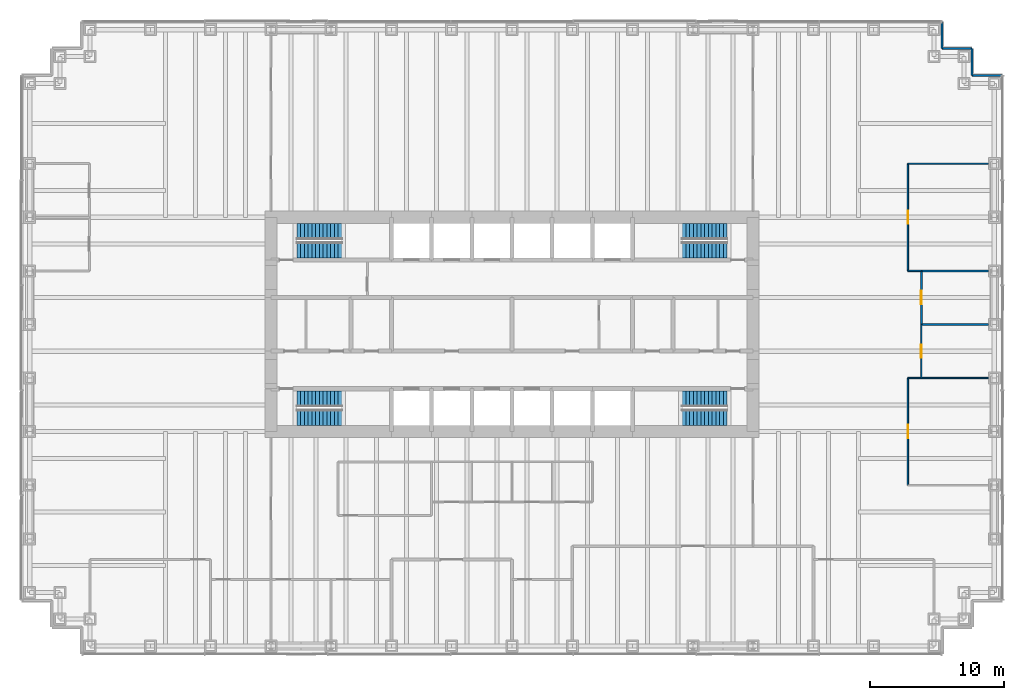
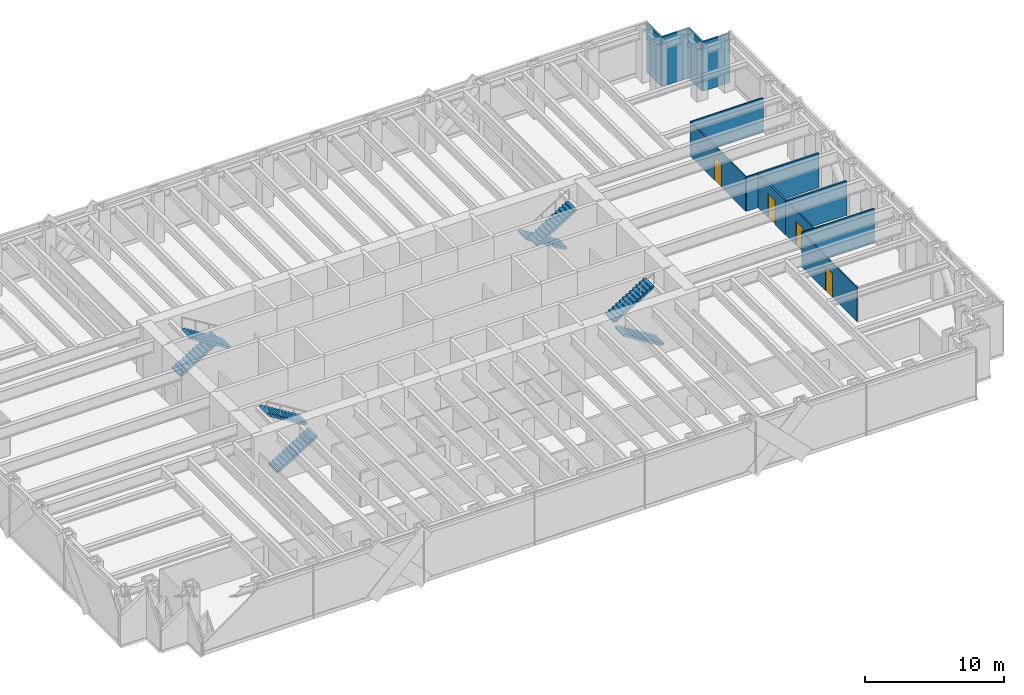
# One storey, part 12 of 13: 13 walls, 8 stair flights, 4 doors, 4 openings, 4 elements without a shape of their own.
"""IFC4 building model written with IfcOpenShell, lengths in metres."""

from ifc_helpers import new_model, si_unit, direction, frame, frame_2d, origin, place, context, subcontext, project, spatial, polyline, rectangle, outline, extrude, material, layer, layer_set, type_object, element, fill, aggregate, save


model = new_model("IFC4")

# Units and contexts
model_context = context("Model", 3, precision=1e-05, world=origin(), true_north=direction((0.0, 1.0)))
body_context = subcontext(model_context, "Body", "Model", "MODEL_VIEW")
ifc_project = project(units=[si_unit("LENGTHUNIT", "METRE"), si_unit("AREAUNIT", "SQUARE_METRE"), si_unit("VOLUMEUNIT", "CUBIC_METRE"), si_unit("PLANEANGLEUNIT", "RADIAN"), si_unit("MASSUNIT", "GRAM", prefix="KILO")], contexts=[model_context])

# Site, building, storey
site_placement = place(None, origin())
site = spatial("IfcSite", under=ifc_project, at=site_placement, CompositionType="ELEMENT")
building_placement = place(site_placement, origin())
building = spatial("IfcBuilding", under=site, at=building_placement, Name="Rheinbord Bourse Tower", CompositionType="ELEMENT")
storey_placement = place(building_placement, frame((0.0, 0.0, 45.5)))
storey = spatial("IfcBuildingStorey", under=building, at=storey_placement, Name="L09", CompositionType="ELEMENT", Elevation=45.5)

# Walls
ifc_material_1 = material(Name="Black metal rainscreen panel", Category="aluminium")
ifc_layer_1 = layer(ifc_material_1, 0.14990234375)
ifc_layer_set_1 = layer_set([ifc_layer_1], Name="CORNER PIER CLADDING 150")
wall_type_1 = type_object("IfcWallType", Name="CORNER PIER CLADDING 150", PredefinedType="ELEMENTEDWALL", material=ifc_layer_set_1)
wall_1_placement = place(storey_placement, frame((72.60009765625, 42.60009765625, 0.0), z_axis=(0.0, 0.0, 1.0), x_axis=(-1.0, 0.0, 0.0)))
element("IfcWall", 1, at=wall_1_placement, inside=storey, type_object=wall_type_1, Name="Corner pier cladding L09 7", PredefinedType="ELEMENTEDWALL", context=body_context, shape_type="SweptSolid", body=[
    extrude(rectangle(XDim=2.25, YDim=0.14990234375, at=frame_2d((1.125, 0.0))), origin(), (0.0, 0.0, 1.0), 4.320068359375),
])
wall_2_placement = place(storey_placement, frame((70.35009765625, 42.60009765625, 0.0), z_axis=(0.0, 0.0, 1.0), x_axis=(0.0, 1.0, 0.0)))
element("IfcWall", 2, at=wall_2_placement, inside=storey, type_object=wall_type_1, Name="Corner pier cladding L09 8", PredefinedType="ELEMENTEDWALL", context=body_context, shape_type="SweptSolid", body=[
    extrude(rectangle(XDim=2.0, YDim=0.14990234375, at=frame_2d((1.0, 0.0))), origin(), (0.0, 0.0, 1.0), 4.320068359375),
])
wall_3_placement = place(storey_placement, frame((70.35009765625, 44.60009765625, 0.0), z_axis=(0.0, 0.0, 1.0), x_axis=(-1.0, 0.0, 0.0)))
element("IfcWall", 3, at=wall_3_placement, inside=storey, type_object=wall_type_1, Name="Corner pier cladding L09 9", PredefinedType="ELEMENTEDWALL", context=body_context, shape_type="SweptSolid", body=[
    extrude(rectangle(XDim=2.25, YDim=0.14990234375, at=frame_2d((1.125, 0.0))), origin(), (0.0, 0.0, 1.0), 4.320068359375),
])
wall_4_placement = place(storey_placement, frame((68.10009765625, 44.60009765625, 0.0), z_axis=(0.0, 0.0, 1.0), x_axis=(0.0, 1.0, 0.0)))
element("IfcWall", 4, at=wall_4_placement, inside=storey, type_object=wall_type_1, Name="Corner pier cladding L09 10", PredefinedType="ELEMENTEDWALL", context=body_context, shape_type="SweptSolid", body=[
    extrude(rectangle(XDim=2.0, YDim=0.14990234375, at=frame_2d((1.0, 0.0))), origin(), (0.0, 0.0, 1.0), 4.320068359375),
])
ifc_material_2 = material(Name="Toughened laminated glass partition", Category="glass")
ifc_layer_2 = layer(ifc_material_2, 0.10009765625)
ifc_layer_set_2 = layer_set([ifc_layer_2], Name="GLAZED PARTITION 100")
wall_type_2 = type_object("IfcWallType", Name="GLAZED PARTITION 100", PredefinedType="PARTITIONING", material=ifc_layer_set_2)
wall_5_placement = place(storey_placement, frame((65.550048828125, 20.0, 0.0), z_axis=(0.0, 0.0, 1.0), x_axis=(1.0, 0.0, 0.0)))
element("IfcWall", 5, at=wall_5_placement, inside=storey, type_object=wall_type_2, Name="Partition L09-12", PredefinedType="PARTITIONING", context=body_context, shape_type="SweptSolid", body=[
    extrude(rectangle(XDim=6.0, YDim=0.10009765625, at=frame_2d((3.0, 0.0))), origin(), (0.0, 0.0, 1.0), 3.0),
])
wall_6_placement = place(storey_placement, frame((65.550048828125, 28.0, 0.0), z_axis=(0.0, 0.0, 1.0), x_axis=(1.0, 0.0, 0.0)))
element("IfcWall", 6, at=wall_6_placement, inside=storey, type_object=wall_type_2, Name="Partition L09-15", PredefinedType="PARTITIONING", context=body_context, shape_type="SweptSolid", body=[
    extrude(rectangle(XDim=1.0, YDim=0.10009765625, at=frame_2d((0.5, 0.0))), origin(), (0.0, 0.0, 1.0), 3.0),
])
wall_7_placement = place(storey_placement, frame((65.550048828125, 36.0, 0.0), z_axis=(0.0, 0.0, 1.0), x_axis=(1.0, 0.0, 0.0)))
element("IfcWall", 7, at=wall_7_placement, inside=storey, type_object=wall_type_2, Name="Partition L09-19", PredefinedType="PARTITIONING", context=body_context, shape_type="SweptSolid", body=[
    extrude(rectangle(XDim=6.0, YDim=0.10009765625, at=frame_2d((3.0, 0.0))), origin(), (0.0, 0.0, 1.0), 3.0),
])

# Wall, opening, door
wall_8_placement = place(storey_placement, frame((65.550048828125, 12.0, 0.0), z_axis=(0.0, 0.0, 1.0), x_axis=(0.0, 1.0, 0.0)))
wall_8 = element("IfcWall", 8, at=wall_8_placement, inside=storey, type_object=wall_type_2, Name="Partition L09-39", PredefinedType="PARTITIONING", context=body_context, shape_type="SweptSolid", body=[
    extrude(rectangle(XDim=8.0, YDim=0.10009765625, at=frame_2d((4.0, 0.0))), origin(), (0.0, 0.0, 1.0), 3.0),
])
opening_1_placement = place(wall_8_placement, frame((3.5, 0.0, 0.0)))
opening_1 = element("IfcOpeningElement", 9, at=opening_1_placement, cuts=wall_8, Name="Opening 09D14", PredefinedType="OPENING", context=body_context, shape_type="SweptSolid", body=[
    extrude(rectangle(XDim=1.0, YDim=2.10009765625, at=frame_2d((0.5, 1.050048828125))), frame((0.0, 0.06005859375, 0.0), z_axis=(0.0, -1.0, 0.0), x_axis=(1.0, 0.0, 0.0)), (0.0, 0.0, 1.0), 0.1201171875),
])
ifc_material_3 = material(Name="Timber door", Category="wood")
door_type = type_object("IfcDoorType", Name="ROOM DOOR 1000", OperationType="SINGLE_SWING_LEFT", PredefinedType="DOOR", material=ifc_material_3)
door_1_placement = place(opening_1_placement, origin())
door_1 = element("IfcDoor", 10, at=door_1_placement, inside=storey, type_object=door_type, Name="Meeting room door L09", OperationType="SINGLE_SWING_LEFT", OverallHeight=2.10009765625, OverallWidth=1.0, PredefinedType="DOOR", context=body_context, shape_type="SweptSolid", body=[
    extrude(rectangle(XDim=1.0, YDim=2.10009765625, at=frame_2d((0.5, 1.050048828125))), frame((0.0, 0.02490234375, 0.0), z_axis=(0.0, -1.0, 0.0), x_axis=(1.0, 0.0, 0.0)), (0.0, 0.0, 1.0), 0.050048828125),
])
fill(opening_1, door_1)

wall_9_placement = place(storey_placement, frame((65.550048828125, 28.0, 0.0), z_axis=(0.0, 0.0, 1.0), x_axis=(0.0, 1.0, 0.0)))
wall_9 = element("IfcWall", 11, at=wall_9_placement, inside=storey, type_object=wall_type_2, Name="Partition L09-40", PredefinedType="PARTITIONING", context=body_context, shape_type="SweptSolid", body=[
    extrude(rectangle(XDim=8.0, YDim=0.10009765625, at=frame_2d((4.0, 0.0))), origin(), (0.0, 0.0, 1.0), 3.0),
])
opening_2_placement = place(wall_9_placement, frame((3.5, 0.0, 0.0)))
opening_2 = element("IfcOpeningElement", 12, at=opening_2_placement, cuts=wall_9, Name="Opening 09D18", PredefinedType="OPENING", context=body_context, shape_type="SweptSolid", body=[
    extrude(rectangle(XDim=1.0, YDim=2.10009765625, at=frame_2d((0.5, 1.050048828125))), frame((0.0, 0.06005859375, 0.0), z_axis=(0.0, -1.0, 0.0), x_axis=(1.0, 0.0, 0.0)), (0.0, 0.0, 1.0), 0.1201171875),
])
door_2_placement = place(opening_2_placement, origin())
door_2 = element("IfcDoor", 13, at=door_2_placement, inside=storey, type_object=door_type, Name="Meeting room door L09", OperationType="SINGLE_SWING_LEFT", OverallHeight=2.10009765625, OverallWidth=1.0, PredefinedType="DOOR", context=body_context, shape_type="SweptSolid", body=[
    extrude(rectangle(XDim=1.0, YDim=2.10009765625, at=frame_2d((0.5, 1.050048828125))), frame((0.0, 0.02490234375, 0.0), z_axis=(0.0, -1.0, 0.0), x_axis=(1.0, 0.0, 0.0)), (0.0, 0.0, 1.0), 0.050048828125),
])
fill(opening_2, door_2)

wall_10_placement = place(storey_placement, frame((66.550048828125, 20.0, 0.0), z_axis=(0.0, 0.0, 1.0), x_axis=(0.0, 1.0, 0.0)))
wall_10 = element("IfcWall", 14, at=wall_10_placement, inside=storey, type_object=wall_type_2, Name="Partition L09-41", PredefinedType="PARTITIONING", context=body_context, shape_type="SweptSolid", body=[
    extrude(rectangle(XDim=4.0, YDim=0.10009765625, at=frame_2d((2.0, 0.0))), origin(), (0.0, 0.0, 1.0), 3.0),
])
opening_3_placement = place(wall_10_placement, frame((1.5, 0.0, 0.0)))
opening_3 = element("IfcOpeningElement", 15, at=opening_3_placement, cuts=wall_10, Name="Opening 09D15", PredefinedType="OPENING", context=body_context, shape_type="SweptSolid", body=[
    extrude(rectangle(XDim=1.0, YDim=2.10009765625, at=frame_2d((0.5, 1.050048828125))), frame((0.0, 0.06005859375, 0.0), z_axis=(0.0, -1.0, 0.0), x_axis=(1.0, 0.0, 0.0)), (0.0, 0.0, 1.0), 0.1201171875),
])
door_3_placement = place(opening_3_placement, origin())
door_3 = element("IfcDoor", 16, at=door_3_placement, inside=storey, type_object=door_type, Name="Meeting room door L09", OperationType="SINGLE_SWING_LEFT", OverallHeight=2.10009765625, OverallWidth=1.0, PredefinedType="DOOR", context=body_context, shape_type="SweptSolid", body=[
    extrude(rectangle(XDim=1.0, YDim=2.10009765625, at=frame_2d((0.5, 1.050048828125))), frame((0.0, 0.02490234375, 0.0), z_axis=(0.0, -1.0, 0.0), x_axis=(1.0, 0.0, 0.0)), (0.0, 0.0, 1.0), 0.050048828125),
])
fill(opening_3, door_3)

# Walls
ifc_material_4 = material(Name="Gypsum board partition", Category="gypsum board")
ifc_layer_3 = layer(ifc_material_4, 0.14990234375)
ifc_layer_set_3 = layer_set([ifc_layer_3], Name="PARTITION 150")
wall_type_3 = type_object("IfcWallType", Name="PARTITION 150", PredefinedType="PARTITIONING", material=ifc_layer_set_3)
for number, where, z_axis, x_axis, name in (
    (17, (66.550048828125, 24.0, 0.0), (0.0, 0.0, 1.0), (1.0, 0.0, 0.0), "Partition L09-13"),
    (18, (66.550048828125, 28.0, 0.0), (0.0, 0.0, 1.0), (1.0, 0.0, 0.0), "Partition L09-16"),
):
    element("IfcWall", number, at=place(storey_placement, frame(where, z_axis=z_axis, x_axis=x_axis)), inside=storey, type_object=wall_type_3, Name=name, PredefinedType="PARTITIONING", context=body_context, shape_type="SweptSolid", body=[
        extrude(rectangle(XDim=5.0, YDim=0.14990234375, at=frame_2d((2.5, 0.0))), origin(), (0.0, 0.0, 1.0), 3.0),
    ])

# Wall, opening, door
wall_11_placement = place(storey_placement, frame((66.550048828125, 24.0, 0.0), z_axis=(0.0, 0.0, 1.0), x_axis=(0.0, 1.0, 0.0)))
wall_11 = element("IfcWall", 19, at=wall_11_placement, inside=storey, type_object=wall_type_3, Name="Partition L09-42", PredefinedType="PARTITIONING", context=body_context, shape_type="SweptSolid", body=[
    extrude(rectangle(XDim=4.0, YDim=0.14990234375, at=frame_2d((2.0, 0.0))), origin(), (0.0, 0.0, 1.0), 3.0),
])
opening_4_placement = place(wall_11_placement, frame((1.5, 0.0, 0.0)))
opening_4 = element("IfcOpeningElement", 20, at=opening_4_placement, cuts=wall_11, Name="Opening 09D16", PredefinedType="OPENING", context=body_context, shape_type="SweptSolid", body=[
    extrude(rectangle(XDim=1.0, YDim=2.10009765625, at=frame_2d((0.5, 1.050048828125))), frame((0.0, 0.0849609375, 0.0), z_axis=(0.0, -1.0, 0.0), x_axis=(1.0, 0.0, 0.0)), (0.0, 0.0, 1.0), 0.169921875),
])
door_4_placement = place(opening_4_placement, origin())
door_4 = element("IfcDoor", 21, at=door_4_placement, inside=storey, type_object=door_type, Name="Pantry door L09", OperationType="SINGLE_SWING_LEFT", OverallHeight=2.10009765625, OverallWidth=1.0, PredefinedType="DOOR", context=body_context, shape_type="SweptSolid", body=[
    extrude(rectangle(XDim=1.0, YDim=2.10009765625, at=frame_2d((0.5, 1.050048828125))), frame((0.0, 0.02490234375, 0.0), z_axis=(0.0, -1.0, 0.0), x_axis=(1.0, 0.0, 0.0)), (0.0, 0.0, 1.0), 0.050048828125),
])
fill(opening_4, door_4)

# Stair, stair flights
ifc_material_5 = material(Name="Concrete C30/37", Category="concrete")
stair_type = type_object("IfcStairType", Name="CORE STAIR HALF TURN 4500", PredefinedType="HALF_TURN_STAIR", material=ifc_material_5)
stair_1_placement = place(storey_placement, origin())
stair_1 = element("IfcStair", 22, at=stair_1_placement, inside=storey, type_object=stair_type, Name="Stair ST1 L09, type CS4", PredefinedType="HALF_TURN_STAIR")
ifc_material_6 = material(Name="Concrete C30/37", Category="concrete")
stair_flight_type = type_object("IfcStairFlightType", Name="CORE STAIR FLIGHT 1200, 13 RISERS", PredefinedType="STRAIGHT", material=ifc_material_6)
stair_flight_1_placement = place(storey_placement, frame((19.949951171875, 17.050048828125, 0.0), z_axis=(0.0, 0.0, 1.0), x_axis=(1.0, 0.0, 0.0)))
stair_flight_1 = element("IfcStairFlight", 23, at=stair_flight_1_placement, type_object=stair_flight_type, Name="STAIR L09 ST1 F1", NumberOfRisers=13, NumberOfTreads=12, PredefinedType="STRAIGHT", RiserHeight=0.173076923, TreadLength=0.28, context=body_context, shape_type="SweptSolid", body=[
    extrude(outline(polyline([(0.0, 0.0), (0.0, 0.173095703125), (0.280029296875, 0.173095703125), (0.280029296875, 0.34619140625), (0.56005859375, 0.34619140625), (0.56005859375, 0.519287109375), (0.840087890625, 0.519287109375), (0.840087890625, 0.6923828125), (1.1201171875, 0.6923828125), (1.1201171875, 0.865478515625), (1.39990234375, 0.865478515625), (1.39990234375, 1.03857421875), (1.679931640625, 1.03857421875), (1.679931640625, 1.21142578125), (1.9599609375, 1.21142578125), (1.9599609375, 1.384521484375), (2.239990234375, 1.384521484375), (2.239990234375, 1.5576171875), (2.52001953125, 1.5576171875), (2.52001953125, 1.730712890625), (2.800048828125, 1.730712890625), (2.800048828125, 1.90380859375), (3.080078125, 1.90380859375), (3.080078125, 2.076904296875), (3.360107421875, 2.076904296875), (3.360107421875, 2.25), (3.360107421875, 1.900634765625), (0.28515625, 0.0), (0.0, 0.0)])), frame((0.0, 0.60009765625, 0.0), z_axis=(0.0, -1.0, 0.0), x_axis=(1.0, 0.0, 0.0)), (0.0, 0.0, 1.0), 1.199951171875),
])
stair_flight_2_placement = place(storey_placement, frame((23.31005859375, 18.449951171875, 2.25), z_axis=(0.0, 0.0, 1.0), x_axis=(-1.0, 0.0, 0.0)))
stair_flight_2 = element("IfcStairFlight", 24, at=stair_flight_2_placement, type_object=stair_flight_type, Name="STAIR L09 ST1 F2", NumberOfRisers=13, NumberOfTreads=12, PredefinedType="STRAIGHT", RiserHeight=0.173076923, TreadLength=0.28, context=body_context, shape_type="SweptSolid", body=[
    extrude(outline(polyline([(0.0, 0.0), (0.0, 0.173095703125), (0.280029296875, 0.173095703125), (0.280029296875, 0.34619140625), (0.56005859375, 0.34619140625), (0.56005859375, 0.519287109375), (0.840087890625, 0.519287109375), (0.840087890625, 0.6923828125), (1.1201171875, 0.6923828125), (1.1201171875, 0.865478515625), (1.39990234375, 0.865478515625), (1.39990234375, 1.03857421875), (1.679931640625, 1.03857421875), (1.679931640625, 1.21142578125), (1.9599609375, 1.21142578125), (1.9599609375, 1.384521484375), (2.239990234375, 1.384521484375), (2.239990234375, 1.5576171875), (2.52001953125, 1.5576171875), (2.52001953125, 1.730712890625), (2.800048828125, 1.730712890625), (2.800048828125, 1.90380859375), (3.080078125, 1.90380859375), (3.080078125, 2.076904296875), (3.360107421875, 2.076904296875), (3.360107421875, 2.25), (3.360107421875, 1.900634765625), (0.28515625, 0.0), (0.0, 0.0)])), frame((0.0, 0.60009765625, 0.0), z_axis=(0.0, -1.0, 0.0), x_axis=(1.0, 0.0, 0.0)), (0.0, 0.0, 1.0), 1.199951171875),
])
aggregate(stair_1, [stair_flight_1, stair_flight_2])

stair_2_placement = place(storey_placement, origin())
stair_2 = element("IfcStair", 25, at=stair_2_placement, inside=storey, type_object=stair_type, Name="Stair ST2 L09, type CS4", PredefinedType="HALF_TURN_STAIR")
stair_flight_3_placement = place(storey_placement, frame((19.949951171875, 30.949951171875, 0.0), z_axis=(0.0, 0.0, 1.0), x_axis=(1.0, 0.0, 0.0)))
stair_flight_3 = element("IfcStairFlight", 26, at=stair_flight_3_placement, type_object=stair_flight_type, Name="STAIR L09 ST2 F1", NumberOfRisers=13, NumberOfTreads=12, PredefinedType="STRAIGHT", RiserHeight=0.173076923, TreadLength=0.28, context=body_context, shape_type="SweptSolid", body=[
    extrude(outline(polyline([(0.0, 0.0), (0.0, 0.173095703125), (0.280029296875, 0.173095703125), (0.280029296875, 0.34619140625), (0.56005859375, 0.34619140625), (0.56005859375, 0.519287109375), (0.840087890625, 0.519287109375), (0.840087890625, 0.6923828125), (1.1201171875, 0.6923828125), (1.1201171875, 0.865478515625), (1.39990234375, 0.865478515625), (1.39990234375, 1.03857421875), (1.679931640625, 1.03857421875), (1.679931640625, 1.21142578125), (1.9599609375, 1.21142578125), (1.9599609375, 1.384521484375), (2.239990234375, 1.384521484375), (2.239990234375, 1.5576171875), (2.52001953125, 1.5576171875), (2.52001953125, 1.730712890625), (2.800048828125, 1.730712890625), (2.800048828125, 1.90380859375), (3.080078125, 1.90380859375), (3.080078125, 2.076904296875), (3.360107421875, 2.076904296875), (3.360107421875, 2.25), (3.360107421875, 1.900634765625), (0.28515625, 0.0), (0.0, 0.0)])), frame((0.0, 0.60009765625, 0.0), z_axis=(0.0, -1.0, 0.0), x_axis=(1.0, 0.0, 0.0)), (0.0, 0.0, 1.0), 1.199951171875),
])
stair_flight_4_placement = place(storey_placement, frame((23.31005859375, 29.550048828125, 2.25), z_axis=(0.0, 0.0, 1.0), x_axis=(-1.0, 0.0, 0.0)))
stair_flight_4 = element("IfcStairFlight", 27, at=stair_flight_4_placement, type_object=stair_flight_type, Name="STAIR L09 ST2 F2", NumberOfRisers=13, NumberOfTreads=12, PredefinedType="STRAIGHT", RiserHeight=0.173076923, TreadLength=0.28, context=body_context, shape_type="SweptSolid", body=[
    extrude(outline(polyline([(0.0, 0.0), (0.0, 0.173095703125), (0.280029296875, 0.173095703125), (0.280029296875, 0.34619140625), (0.56005859375, 0.34619140625), (0.56005859375, 0.519287109375), (0.840087890625, 0.519287109375), (0.840087890625, 0.6923828125), (1.1201171875, 0.6923828125), (1.1201171875, 0.865478515625), (1.39990234375, 0.865478515625), (1.39990234375, 1.03857421875), (1.679931640625, 1.03857421875), (1.679931640625, 1.21142578125), (1.9599609375, 1.21142578125), (1.9599609375, 1.384521484375), (2.239990234375, 1.384521484375), (2.239990234375, 1.5576171875), (2.52001953125, 1.5576171875), (2.52001953125, 1.730712890625), (2.800048828125, 1.730712890625), (2.800048828125, 1.90380859375), (3.080078125, 1.90380859375), (3.080078125, 2.076904296875), (3.360107421875, 2.076904296875), (3.360107421875, 2.25), (3.360107421875, 1.900634765625), (0.28515625, 0.0), (0.0, 0.0)])), frame((0.0, 0.60009765625, 0.0), z_axis=(0.0, -1.0, 0.0), x_axis=(1.0, 0.0, 0.0)), (0.0, 0.0, 1.0), 1.199951171875),
])
aggregate(stair_2, [stair_flight_3, stair_flight_4])

stair_3_placement = place(storey_placement, origin())
stair_3 = element("IfcStair", 28, at=stair_3_placement, inside=storey, type_object=stair_type, Name="Stair ST3 L09, type CS4", PredefinedType="HALF_TURN_STAIR")
stair_flight_5_placement = place(storey_placement, frame((52.050048828125, 17.050048828125, 0.0), z_axis=(0.0, 0.0, 1.0), x_axis=(-1.0, 0.0, 0.0)))
stair_flight_5 = element("IfcStairFlight", 29, at=stair_flight_5_placement, type_object=stair_flight_type, Name="STAIR L09 ST3 F1", NumberOfRisers=13, NumberOfTreads=12, PredefinedType="STRAIGHT", RiserHeight=0.173076923, TreadLength=0.28, context=body_context, shape_type="SweptSolid", body=[
    extrude(outline(polyline([(0.0, 0.0), (0.0, 0.173095703125), (0.280029296875, 0.173095703125), (0.280029296875, 0.34619140625), (0.56005859375, 0.34619140625), (0.56005859375, 0.519287109375), (0.840087890625, 0.519287109375), (0.840087890625, 0.6923828125), (1.1201171875, 0.6923828125), (1.1201171875, 0.865478515625), (1.39990234375, 0.865478515625), (1.39990234375, 1.03857421875), (1.679931640625, 1.03857421875), (1.679931640625, 1.21142578125), (1.9599609375, 1.21142578125), (1.9599609375, 1.384521484375), (2.239990234375, 1.384521484375), (2.239990234375, 1.5576171875), (2.52001953125, 1.5576171875), (2.52001953125, 1.730712890625), (2.800048828125, 1.730712890625), (2.800048828125, 1.90380859375), (3.080078125, 1.90380859375), (3.080078125, 2.076904296875), (3.360107421875, 2.076904296875), (3.360107421875, 2.25), (3.360107421875, 1.900634765625), (0.28515625, 0.0), (0.0, 0.0)])), frame((0.0, 0.60009765625, 0.0), z_axis=(0.0, -1.0, 0.0), x_axis=(1.0, 0.0, 0.0)), (0.0, 0.0, 1.0), 1.199951171875),
])
stair_flight_6_placement = place(storey_placement, frame((48.68994140625, 18.449951171875, 2.25), z_axis=(0.0, 0.0, 1.0), x_axis=(1.0, 0.0, 0.0)))
stair_flight_6 = element("IfcStairFlight", 30, at=stair_flight_6_placement, type_object=stair_flight_type, Name="STAIR L09 ST3 F2", NumberOfRisers=13, NumberOfTreads=12, PredefinedType="STRAIGHT", RiserHeight=0.173076923, TreadLength=0.28, context=body_context, shape_type="SweptSolid", body=[
    extrude(outline(polyline([(0.0, 0.0), (0.0, 0.173095703125), (0.280029296875, 0.173095703125), (0.280029296875, 0.34619140625), (0.56005859375, 0.34619140625), (0.56005859375, 0.519287109375), (0.840087890625, 0.519287109375), (0.840087890625, 0.6923828125), (1.1201171875, 0.6923828125), (1.1201171875, 0.865478515625), (1.39990234375, 0.865478515625), (1.39990234375, 1.03857421875), (1.679931640625, 1.03857421875), (1.679931640625, 1.21142578125), (1.9599609375, 1.21142578125), (1.9599609375, 1.384521484375), (2.239990234375, 1.384521484375), (2.239990234375, 1.5576171875), (2.52001953125, 1.5576171875), (2.52001953125, 1.730712890625), (2.800048828125, 1.730712890625), (2.800048828125, 1.90380859375), (3.080078125, 1.90380859375), (3.080078125, 2.076904296875), (3.360107421875, 2.076904296875), (3.360107421875, 2.25), (3.360107421875, 1.900634765625), (0.28515625, 0.0), (0.0, 0.0)])), frame((0.0, 0.60009765625, 0.0), z_axis=(0.0, -1.0, 0.0), x_axis=(1.0, 0.0, 0.0)), (0.0, 0.0, 1.0), 1.199951171875),
])
aggregate(stair_3, [stair_flight_5, stair_flight_6])

stair_4_placement = place(storey_placement, origin())
stair_4 = element("IfcStair", 31, at=stair_4_placement, inside=storey, type_object=stair_type, Name="Stair ST4 L09, type CS4", PredefinedType="HALF_TURN_STAIR")
stair_flight_7_placement = place(storey_placement, frame((52.050048828125, 30.949951171875, 0.0), z_axis=(0.0, 0.0, 1.0), x_axis=(-1.0, 0.0, 0.0)))
stair_flight_7 = element("IfcStairFlight", 32, at=stair_flight_7_placement, type_object=stair_flight_type, Name="STAIR L09 ST4 F1", NumberOfRisers=13, NumberOfTreads=12, PredefinedType="STRAIGHT", RiserHeight=0.173076923, TreadLength=0.28, context=body_context, shape_type="SweptSolid", body=[
    extrude(outline(polyline([(0.0, 0.0), (0.0, 0.173095703125), (0.280029296875, 0.173095703125), (0.280029296875, 0.34619140625), (0.56005859375, 0.34619140625), (0.56005859375, 0.519287109375), (0.840087890625, 0.519287109375), (0.840087890625, 0.6923828125), (1.1201171875, 0.6923828125), (1.1201171875, 0.865478515625), (1.39990234375, 0.865478515625), (1.39990234375, 1.03857421875), (1.679931640625, 1.03857421875), (1.679931640625, 1.21142578125), (1.9599609375, 1.21142578125), (1.9599609375, 1.384521484375), (2.239990234375, 1.384521484375), (2.239990234375, 1.5576171875), (2.52001953125, 1.5576171875), (2.52001953125, 1.730712890625), (2.800048828125, 1.730712890625), (2.800048828125, 1.90380859375), (3.080078125, 1.90380859375), (3.080078125, 2.076904296875), (3.360107421875, 2.076904296875), (3.360107421875, 2.25), (3.360107421875, 1.900634765625), (0.28515625, 0.0), (0.0, 0.0)])), frame((0.0, 0.60009765625, 0.0), z_axis=(0.0, -1.0, 0.0), x_axis=(1.0, 0.0, 0.0)), (0.0, 0.0, 1.0), 1.199951171875),
])
stair_flight_8_placement = place(storey_placement, frame((48.68994140625, 29.550048828125, 2.25), z_axis=(0.0, 0.0, 1.0), x_axis=(1.0, 0.0, 0.0)))
stair_flight_8 = element("IfcStairFlight", 33, at=stair_flight_8_placement, type_object=stair_flight_type, Name="STAIR L09 ST4 F2", NumberOfRisers=13, NumberOfTreads=12, PredefinedType="STRAIGHT", RiserHeight=0.173076923, TreadLength=0.28, context=body_context, shape_type="SweptSolid", body=[
    extrude(outline(polyline([(0.0, 0.0), (0.0, 0.173095703125), (0.280029296875, 0.173095703125), (0.280029296875, 0.34619140625), (0.56005859375, 0.34619140625), (0.56005859375, 0.519287109375), (0.840087890625, 0.519287109375), (0.840087890625, 0.6923828125), (1.1201171875, 0.6923828125), (1.1201171875, 0.865478515625), (1.39990234375, 0.865478515625), (1.39990234375, 1.03857421875), (1.679931640625, 1.03857421875), (1.679931640625, 1.21142578125), (1.9599609375, 1.21142578125), (1.9599609375, 1.384521484375), (2.239990234375, 1.384521484375), (2.239990234375, 1.5576171875), (2.52001953125, 1.5576171875), (2.52001953125, 1.730712890625), (2.800048828125, 1.730712890625), (2.800048828125, 1.90380859375), (3.080078125, 1.90380859375), (3.080078125, 2.076904296875), (3.360107421875, 2.076904296875), (3.360107421875, 2.25), (3.360107421875, 1.900634765625), (0.28515625, 0.0), (0.0, 0.0)])), frame((0.0, 0.60009765625, 0.0), z_axis=(0.0, -1.0, 0.0), x_axis=(1.0, 0.0, 0.0)), (0.0, 0.0, 1.0), 1.199951171875),
])
aggregate(stair_4, [stair_flight_7, stair_flight_8])

save(model, "model.ifc")
